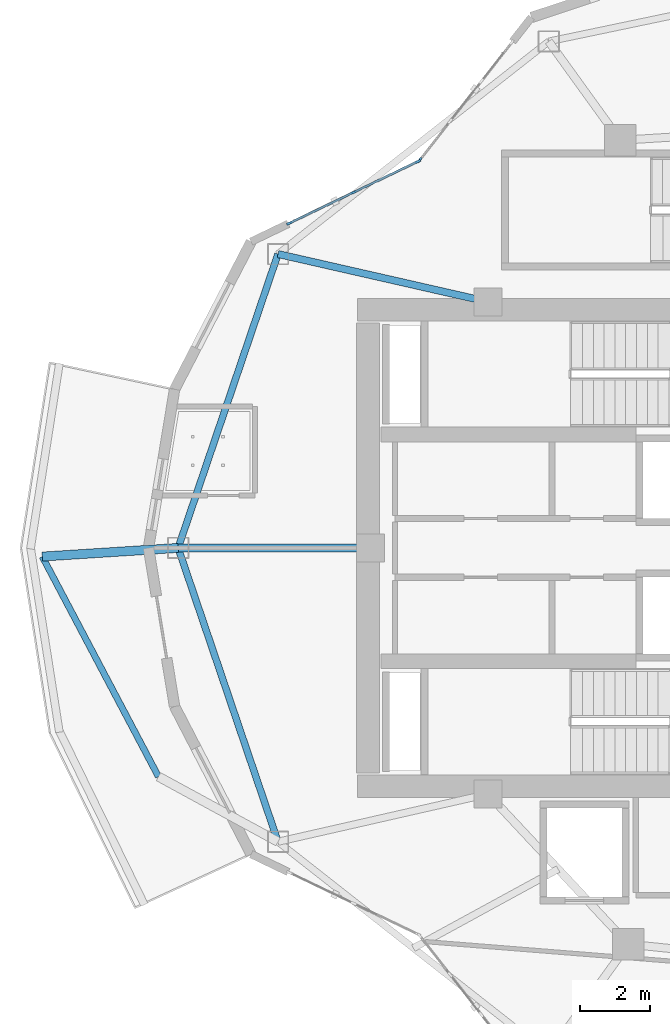
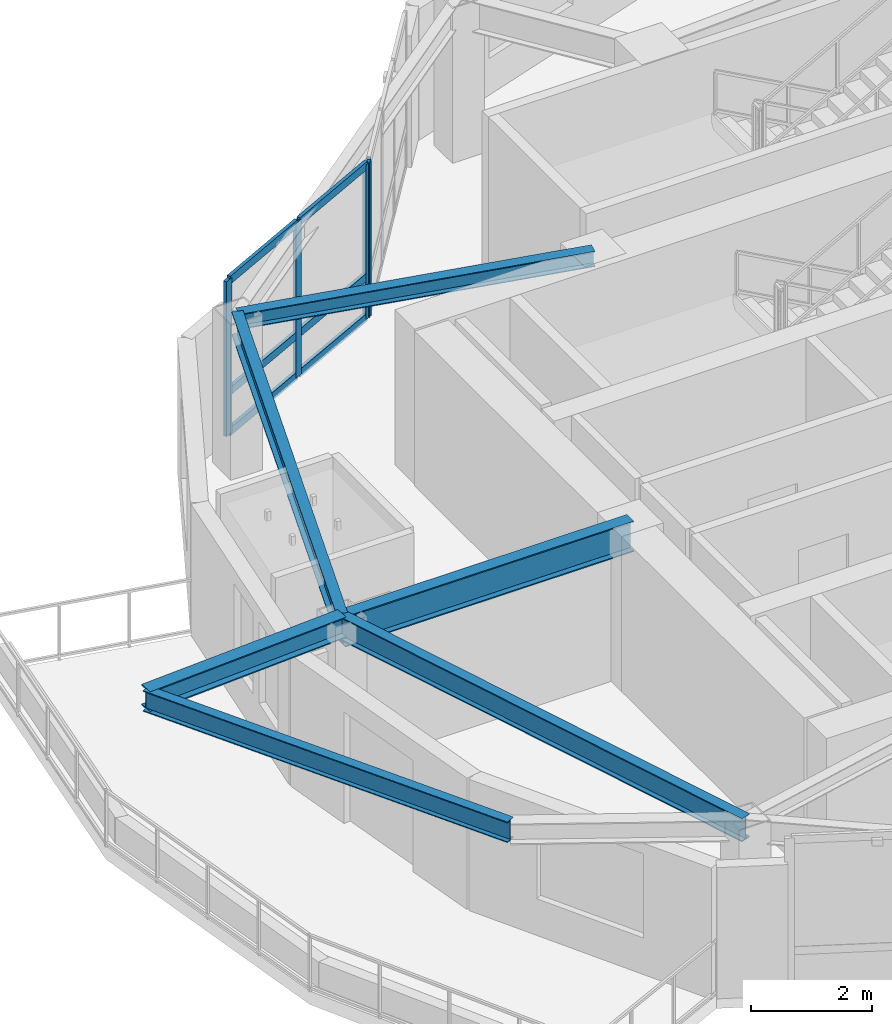
# One storey, part 3 of 19: 10 members, 6 beams, 2 elements without a shape of their own.
"""IFC4 building model written with IfcOpenShell, lengths in metres."""

import ifcopenshell
import ifcopenshell.guid

model = None  # the IFC model being written
_history = None  # IfcOwnerHistory: only IFC2X3 demands one
_inside = {}  # id of a spatial element -> (the spatial element, [elements in it])
_under = {}  # id of a project, library or spatial element -> (it, [spatial elements below it])
_declared = {}  # id of a project -> (the project, [libraries it declares])
_typed = {}  # id of a type object -> (the type object, [elements of that type])
_made_of = {}  # id of a material, layer set ... -> (it, [elements and type objects made of it])


def new_model(schema):
    """Start an empty IFC model of exactly this schema.

    Asked for "IFC4X3", IfcOpenShell would pick the latest addendum, in which some entities
    have other attributes; the version numbers below select the first issue.
    IFC2X3 requires an IfcOwnerHistory on every rooted entity: one is made here for all.
    """
    global model, _history
    if schema == "IFC4X3":
        model = ifcopenshell.file(schema_version=(4, 3, 0, 0))
    else:
        model = ifcopenshell.file(schema=schema)
    _inside.clear()
    _under.clear()
    _declared.clear()
    _typed.clear()
    _made_of.clear()
    _history = None
    if model.schema == "IFC2X3":
        org = make("IfcOrganization", Name="unknown")
        user = make(
            "IfcPersonAndOrganization",
            ThePerson=make("IfcPerson", FamilyName="unknown"),
            TheOrganization=org,
        )
        app = make(
            "IfcApplication",
            ApplicationDeveloper=org,
            Version="unknown",
            ApplicationFullName="unknown",
            ApplicationIdentifier="unknown",
        )
        _history = make(
            "IfcOwnerHistory",
            OwningUser=user,
            OwningApplication=app,
            ChangeAction="ADDED",
            CreationDate=0,
        )
    return model


def make(cls, **values):
    """One entity of the class cls with the attributes given. An attribute that is None is left unset."""
    return model.create_entity(
        cls, **{name: value for name, value in values.items() if value is not None}
    )


def rooted(cls, **values):
    """An entity with a GlobalId (a new one), such as an element, a storey or a relation."""
    return make(cls, GlobalId=ifcopenshell.guid.new(), OwnerHistory=_history, **values)


def si_unit(unit_type, name, prefix=None):
    """IfcSIUnit, for example si_unit("LENGTHUNIT", "METRE", prefix="MILLI")."""
    return make("IfcSIUnit", UnitType=unit_type, Prefix=prefix, Name=name)


def assignment(units):
    """IfcUnitAssignment: the units of a project."""
    return None if units is None else make("IfcUnitAssignment", Units=units)


def point(xyz):
    """IfcCartesianPoint."""
    return None if xyz is None else make("IfcCartesianPoint", Coordinates=xyz)


def direction(xyz):
    """IfcDirection."""
    return None if xyz is None else make("IfcDirection", DirectionRatios=xyz)


def frame(location, z_axis=None, x_axis=None):
    """IfcAxis2Placement3D, a coordinate frame: its origin and axes. An axis left out is left unset."""
    return make(
        "IfcAxis2Placement3D",
        Location=point(location),
        Axis=direction(z_axis),
        RefDirection=direction(x_axis),
    )


def frame_2d(location, x_axis=None):
    """IfcAxis2Placement2D, a coordinate frame in the plane: its origin and x axis."""
    return make(
        "IfcAxis2Placement2D", Location=point(location), RefDirection=direction(x_axis)
    )


def origin():
    """The frame at (0, 0, 0) with its axes left unset."""
    return frame((0.0, 0.0, 0.0))


def origin_2d():
    """The frame at (0, 0) in the plane with its x axis left unset."""
    return frame_2d((0.0, 0.0))


def place(relative_to, where):
    """IfcLocalPlacement: puts the frame where relative to a parent placement (None: the world)."""
    return make(
        "IfcLocalPlacement", PlacementRelTo=relative_to, RelativePlacement=where
    )


def context(
    kind, dimensions, precision=None, world=None, true_north=None, identifier=None
):
    """IfcGeometricRepresentationContext, for example the 3D "Model" context."""
    return make(
        "IfcGeometricRepresentationContext",
        ContextIdentifier=identifier,
        ContextType=kind,
        CoordinateSpaceDimension=dimensions,
        Precision=precision,
        WorldCoordinateSystem=world,
        TrueNorth=true_north,
    )


def subcontext(parent, identifier, kind, view, scale=None):
    """IfcGeometricRepresentationSubContext, for example "Body" below "Model"."""
    return make(
        "IfcGeometricRepresentationSubContext",
        ContextIdentifier=identifier,
        ContextType=kind,
        ParentContext=parent,
        TargetScale=scale,
        TargetView=view,
    )


def project(units=None, contexts=None):
    """IfcProject with its units and contexts."""
    return rooted(
        "IfcProject",
        Name="project",
        RepresentationContexts=contexts,
        UnitsInContext=assignment(units),
    )


def spatial(cls, under=None, at=None, **own):
    """A site, building, storey or space (cls), placed at a placement, below another one or the project."""
    s = rooted(cls, ObjectPlacement=at, **own)
    if under is not None:
        _under.setdefault(under.id(), (under, []))[1].append(s)
    return s


def profile(cls, at=None, kind="AREA", **sizes):
    """A parametric profile (cls). Its sizes go by their IFC names, for example OverallWidth=200.0."""
    return make(cls, ProfileType=kind, Position=at, **sizes)


def rectangle(**sizes):
    """IfcRectangleProfileDef."""
    return profile("IfcRectangleProfileDef", **sizes)


def i_section(**sizes):
    """IfcIShapeProfileDef."""
    return profile("IfcIShapeProfileDef", **sizes)


def extrude(swept, where, along, depth):
    """IfcExtrudedAreaSolid: the profile swept, set in the frame where, extruded along a direction by depth."""
    return make(
        "IfcExtrudedAreaSolid",
        SweptArea=swept,
        Position=where,
        ExtrudedDirection=direction(along),
        Depth=depth,
    )


def shape(context_of_items, identifier, shape_type, items):
    """IfcShapeRepresentation: the items that make up one representation, for example the "Body"."""
    return make(
        "IfcShapeRepresentation",
        ContextOfItems=context_of_items,
        RepresentationIdentifier=identifier,
        RepresentationType=shape_type,
        Items=items,
    )


def material(Name=None, Category=None):
    """IfcMaterial."""
    return make("IfcMaterial", Name=Name, Category=Category)


def layer(
    of_material, thickness, ventilated=None, Name=None, Category=None, Priority=None
):
    """IfcMaterialLayer: one layer of a wall or slab, of a material (None: an air gap)."""
    return make(
        "IfcMaterialLayer",
        Material=of_material,
        LayerThickness=thickness,
        IsVentilated=ventilated,
        Name=Name,
        Category=Category,
        Priority=Priority,
    )


def layer_set(layers, Name=None):
    """IfcMaterialLayerSet."""
    return make("IfcMaterialLayerSet", MaterialLayers=layers, LayerSetName=Name)


def material_profile(
    of_material, cross_section, Name=None, Category=None, Priority=None
):
    """IfcMaterialProfile: a cross section and its material."""
    return make(
        "IfcMaterialProfile",
        Name=Name,
        Material=of_material,
        Profile=cross_section,
        Priority=Priority,
        Category=Category,
    )


def profile_set(profiles, Name=None, composite=None):
    """IfcMaterialProfileSet."""
    return make(
        "IfcMaterialProfileSet",
        Name=Name,
        MaterialProfiles=profiles,
        CompositeProfile=composite,
    )


def made_of(thing, what):
    """Note that an element or type object is made of a material, layer set ...; save() writes the relation."""
    if what is not None:
        _made_of.setdefault(what.id(), (what, []))[1].append(thing)
    return thing


def type_object(cls, material=None, **own):
    """A type object (cls), such as IfcWallType, which elements share."""
    return made_of(rooted(cls, **own), material)


def element(
    cls,
    number,
    at=None,
    inside=None,
    cuts=None,
    type_object=None,
    material=None,
    context=None,
    identifier="Body",
    shape_type=None,
    held_by="IfcProductDefinitionShape",
    body=None,
    shapes=None,
    **own,
):
    """One element of the class cls, such as IfcWall. Its Tag is "e" and its number.

    at: its placement. inside: the storey or other place that contains it. cuts: it is an
    opening in that element (IfcRelVoidsElement). A single representation is given by context,
    identifier, shape_type and body (its items); several are given by shapes. held_by: the class
    of the entity that holds the representations. save() writes the other relations.
    """
    e = rooted(cls, Tag="e%d" % number, ObjectPlacement=at, **own)
    if body is not None:
        shapes = [shape(context, identifier, shape_type, body)]
    if shapes is not None:
        e.Representation = make(held_by, Representations=shapes)
    if inside is not None:
        _inside.setdefault(inside.id(), (inside, []))[1].append(e)
    if cuts is not None:
        rooted(
            "IfcRelVoidsElement", RelatingBuildingElement=cuts, RelatedOpeningElement=e
        )
    if type_object is not None:
        _typed.setdefault(type_object.id(), (type_object, []))[1].append(e)
    return made_of(e, material)


def aggregate(whole, parts):
    """IfcRelAggregates: a whole, such as a stair, and the parts it consists of."""
    return rooted("IfcRelAggregates", RelatingObject=whole, RelatedObjects=parts)


def save(model, path):
    """Write the relations noted so far, then the file.

    IfcRelAggregates (storeys below a building ...), IfcRelContainedInSpatialStructure (elements
    in a storey), IfcRelDefinesByType, IfcRelAssociatesMaterial and IfcRelDeclares: one each for
    every whole, place, type object, material and project.
    """
    for whole, parts in _under.values():
        aggregate(whole, parts)
    for where, things in _inside.values():
        rooted(
            "IfcRelContainedInSpatialStructure",
            RelatedElements=things,
            RelatingStructure=where,
        )
    for kind, things in _typed.values():
        rooted("IfcRelDefinesByType", RelatedObjects=things, RelatingType=kind)
    for what, things in _made_of.values():
        rooted("IfcRelAssociatesMaterial", RelatedObjects=things, RelatingMaterial=what)
    for by, libraries in _declared.values():
        rooted("IfcRelDeclares", RelatingContext=by, RelatedDefinitions=libraries)
    model.write(path)


model = new_model("IFC4")

# Units and contexts
model_context = context("Model", 3, precision=1e-05, world=origin(), true_north=direction((0.0, 1.0)))
body_context = subcontext(model_context, "Body", "Model", "MODEL_VIEW")
ifc_project = project(units=[si_unit("LENGTHUNIT", "METRE"), si_unit("AREAUNIT", "SQUARE_METRE"), si_unit("VOLUMEUNIT", "CUBIC_METRE"), si_unit("PLANEANGLEUNIT", "RADIAN"), si_unit("MASSUNIT", "GRAM", prefix="KILO")], contexts=[model_context])

# Site, building, storey
site_placement = place(None, origin())
site = spatial("IfcSite", under=ifc_project, at=site_placement, CompositionType="ELEMENT")
building_placement = place(site_placement, origin())
building = spatial("IfcBuilding", under=site, at=building_placement, Name="Kolvaren Gate Tower and Convention Centre", CompositionType="ELEMENT")
storey_placement = place(building_placement, frame((0.0, 0.0, 163.10009765625)))
storey = spatial("IfcBuildingStorey", under=building, at=storey_placement, Name="L42", CompositionType="ELEMENT", Elevation=163.10009765625)

# Curtain wall, member
ifc_material_1 = material(Name="Anodized Architectural Aluminium Alloy 6063-T6", Category="aluminium")
ifc_layer = layer(ifc_material_1, 0.159912109375)
ifc_layer_set = layer_set([ifc_layer], Name="Anodized Architectural Aluminium Alloy 6063-T6")
curtain_wall_type = type_object("IfcCurtainWallType", Name="CW-HTL-UNIT", PredefinedType="NOTDEFINED", material=ifc_layer_set)
curtain_wall_1_placement = place(storey_placement, origin())
curtain_wall_1 = element("IfcCurtainWall", 1, at=curtain_wall_1_placement, inside=storey, type_object=curtain_wall_type, Name="Tower L42 Unitised Curtain Wall CW-HTL-UNIT Bay 08", PredefinedType="NOTDEFINED")
ifc_material_profile_1 = material_profile(ifc_material_1, rectangle(XDim=0.06494140625, YDim=0.159912109375, at=origin_2d()), Name="CW-MEM-MUL-160")
ifc_profile_set_1 = profile_set([ifc_material_profile_1], Name="Anodized Architectural Aluminium Alloy 6063-T6")
member_type_1 = type_object("IfcMemberType", Name="CW-MEM-MUL-160", PredefinedType="MULLION", material=ifc_profile_set_1)
member_1_placement = place(storey_placement, frame((15.95654296875, 38.111572265625, 0.0), z_axis=(0.0, 0.0, 1.0), x_axis=(-0.787394793807, 0.616449056034, 0.0)))
member_1 = element("IfcMember", 2, at=member_1_placement, type_object=member_type_1, Name="CW-03 mullion 1", PredefinedType="MULLION", context=body_context, shape_type="SweptSolid", body=[
    extrude(rectangle(XDim=0.06494140625, YDim=0.159912109375, at=origin_2d()), origin(), (0.0, 0.0, 1.0), 3.1298828125),
])
aggregate(curtain_wall_1, [member_1])

# Curtain wall, members
curtain_wall_2_placement = place(storey_placement, origin())
curtain_wall_2 = element("IfcCurtainWall", 3, at=curtain_wall_2_placement, inside=storey, type_object=curtain_wall_type, Name="Tower L42 Unitised Curtain Wall CW-HTL-UNIT Bay 09", PredefinedType="NOTDEFINED")
member_2_placement = place(storey_placement, frame((12.220458984375, 36.300537109375, 0.0), z_axis=(0.0, 0.0, 1.0), x_axis=(-0.433065112035, 0.901362639973, 0.0)))
member_2 = element("IfcMember", 4, at=member_2_placement, type_object=member_type_1, Name="CW-03 mullion 1", PredefinedType="MULLION", context=body_context, shape_type="SweptSolid", body=[
    extrude(rectangle(XDim=0.06494140625, YDim=0.159912109375, at=origin_2d()), origin(), (0.0, 0.0, 1.0), 3.1298828125),
])
member_3_placement = place(storey_placement, frame((14.063720703125, 37.186279296875, 0.0), z_axis=(0.0, 0.0, 1.0), x_axis=(-0.433065112035, 0.901362639973, 0.0)))
member_3 = element("IfcMember", 5, at=member_3_placement, type_object=member_type_1, Name="CW-03 mullion 2", PredefinedType="MULLION", context=body_context, shape_type="SweptSolid", body=[
    extrude(rectangle(XDim=0.06494140625, YDim=0.159912109375, at=origin_2d()), origin(), (0.0, 0.0, 1.0), 3.1298828125),
])
member_4_placement = place(storey_placement, frame((15.9072265625, 38.072021484375, 0.0), z_axis=(0.0, 0.0, 1.0), x_axis=(-0.433065112035, 0.901362639973, 0.0)))
member_4 = element("IfcMember", 6, at=member_4_placement, type_object=member_type_1, Name="CW-03 mullion 3", PredefinedType="MULLION", context=body_context, shape_type="SweptSolid", body=[
    extrude(rectangle(XDim=0.06494140625, YDim=0.159912109375, at=origin_2d()), origin(), (0.0, 0.0, 1.0), 3.1298828125),
])
ifc_material_profile_2 = material_profile(ifc_material_1, rectangle(XDim=0.06494140625, YDim=0.159912109375, at=origin_2d()), Name="CW-MEM-TRN-160")
ifc_profile_set_2 = profile_set([ifc_material_profile_2], Name="Anodized Architectural Aluminium Alloy 6063-T6")
member_type_2 = type_object("IfcMemberType", Name="CW-MEM-TRN-160", PredefinedType="USERDEFINED", material=ifc_profile_set_2)
member_5_placement = place(storey_placement, frame((12.249755859375, 36.314697265625, 0.032470703125), z_axis=(0.901369067985, 0.433051732799, 0.0), x_axis=(-0.433051732799, 0.901369067985, 0.0)))
member_5 = element("IfcMember", 7, at=member_5_placement, type_object=member_type_2, Name="CW-03 transom 1.1", ObjectType="TRANSOM", PredefinedType="USERDEFINED", context=body_context, shape_type="SweptSolid", body=[
    extrude(rectangle(XDim=0.06494140625, YDim=0.159912109375, at=origin_2d()), origin(), (0.0, 0.0, 1.0), 1.97998046875),
])
member_6_placement = place(storey_placement, frame((12.249755859375, 36.314697265625, 0.849853515625), z_axis=(0.901369067985, 0.433051732799, 0.0), x_axis=(-0.433051732799, 0.901369067985, 0.0)))
member_6 = element("IfcMember", 8, at=member_6_placement, type_object=member_type_2, Name="CW-03 transom 1.2", ObjectType="TRANSOM", PredefinedType="USERDEFINED", context=body_context, shape_type="SweptSolid", body=[
    extrude(rectangle(XDim=0.06494140625, YDim=0.159912109375, at=origin_2d()), origin(), (0.0, 0.0, 1.0), 1.97998046875),
])
member_7_placement = place(storey_placement, frame((12.249755859375, 36.314697265625, 3.097412109375), z_axis=(0.901369067985, 0.433051732799, 0.0), x_axis=(-0.433051732799, 0.901369067985, 0.0)))
member_7 = element("IfcMember", 9, at=member_7_placement, type_object=member_type_2, Name="CW-03 transom 1.3", ObjectType="TRANSOM", PredefinedType="USERDEFINED", context=body_context, shape_type="SweptSolid", body=[
    extrude(rectangle(XDim=0.06494140625, YDim=0.159912109375, at=origin_2d()), origin(), (0.0, 0.0, 1.0), 1.97998046875),
])
member_8_placement = place(storey_placement, frame((14.093017578125, 37.200439453125, 0.032470703125), z_axis=(0.90139218823, 0.433003606218, 0.0), x_axis=(-0.433003606218, 0.90139218823, 0.0)))
member_8 = element("IfcMember", 10, at=member_8_placement, type_object=member_type_2, Name="CW-03 transom 2.1", ObjectType="TRANSOM", PredefinedType="USERDEFINED", context=body_context, shape_type="SweptSolid", body=[
    extrude(rectangle(XDim=0.06494140625, YDim=0.159912109375, at=origin_2d()), origin(), (0.0, 0.0, 1.0), 1.980224609375),
])
member_9_placement = place(storey_placement, frame((14.093017578125, 37.200439453125, 0.849853515625), z_axis=(0.90139218823, 0.433003606218, 0.0), x_axis=(-0.433003606218, 0.90139218823, 0.0)))
member_9 = element("IfcMember", 11, at=member_9_placement, type_object=member_type_2, Name="CW-03 transom 2.2", ObjectType="TRANSOM", PredefinedType="USERDEFINED", context=body_context, shape_type="SweptSolid", body=[
    extrude(rectangle(XDim=0.06494140625, YDim=0.159912109375, at=origin_2d()), origin(), (0.0, 0.0, 1.0), 1.980224609375),
])
member_10_placement = place(storey_placement, frame((14.093017578125, 37.200439453125, 3.097412109375), z_axis=(0.90139218823, 0.433003606218, 0.0), x_axis=(-0.433003606218, 0.90139218823, 0.0)))
member_10 = element("IfcMember", 12, at=member_10_placement, type_object=member_type_2, Name="CW-03 transom 2.3", ObjectType="TRANSOM", PredefinedType="USERDEFINED", context=body_context, shape_type="SweptSolid", body=[
    extrude(rectangle(XDim=0.06494140625, YDim=0.159912109375, at=origin_2d()), origin(), (0.0, 0.0, 1.0), 1.980224609375),
])
aggregate(curtain_wall_2, [member_2, member_3, member_4, member_5, member_6, member_7, member_8, member_9, member_10])

# Beams
ifc_material_2 = material(Name="Structural steel ASTM A992 Grade 345 MPa", Category="steel")
ifc_material_profile_3 = material_profile(ifc_material_2, i_section(OverallWidth=0.260009765625, OverallDepth=0.419921875, WebThickness=0.013427734375, FlangeThickness=0.0224609375, at=origin_2d()), Name="W410X132")
ifc_profile_set_3 = profile_set([ifc_material_profile_3], Name="Structural steel ASTM A992 Grade 345 MPa")
beam_type_1 = type_object("IfcBeamType", Name="STR-BM-W410X132", PredefinedType="BEAM", material=ifc_profile_set_3)
beam_1_placement = place(storey_placement, frame((9.03759765625, 27.0, 2.92041015625), z_axis=(-0.997967389097, -0.063726684362, 0.0), x_axis=(0.063726684362, -0.997967389097, 0.0)))
element("IfcBeam", 13, at=beam_1_placement, inside=storey, type_object=beam_type_1, Name="Tower L43 Planted Balcony Outrigger Cantilever BC-2A", PredefinedType="BEAM", context=body_context, shape_type="SweptSolid", body=[
    extrude(i_section(OverallWidth=0.260009765625, OverallDepth=0.419921875, WebThickness=0.013427734375, FlangeThickness=0.0224609375, at=origin_2d()), origin(), (0.0, 0.0, 1.0), 3.89990234375),
])
ifc_material_profile_4 = material_profile(ifc_material_2, i_section(OverallWidth=0.22998046875, OverallDepth=0.616943359375, WebThickness=0.01318359375, FlangeThickness=0.022216796875, at=origin_2d()), Name="W610X140")
ifc_profile_set_4 = profile_set([ifc_material_profile_4], Name="Structural steel ASTM A992 Grade 345 MPa")
beam_type_2 = type_object("IfcBeamType", Name="STR-BM-W610X140", PredefinedType="BEAM", material=ifc_profile_set_4)
beam_2_placement = place(storey_placement, frame((14.550048828125, 27.0, 2.8212890625), z_axis=(-1.0, 0.0, 0.0), x_axis=(0.0, -1.0, 0.0)))
element("IfcBeam", 14, at=beam_2_placement, inside=storey, type_object=beam_type_2, Name="Tower L42 Radial Floor Girder RB-07", PredefinedType="BEAM", context=body_context, shape_type="SweptSolid", body=[
    extrude(i_section(OverallWidth=0.22998046875, OverallDepth=0.616943359375, WebThickness=0.01318359375, FlangeThickness=0.022216796875, at=origin_2d()), origin(), (0.0, 0.0, 1.0), 5.512451171875),
])
ifc_material_profile_5 = material_profile(ifc_material_2, i_section(OverallWidth=0.205078125, OverallDepth=0.31005859375, WebThickness=0.009521484375, FlangeThickness=0.016357421875, at=origin_2d()), Name="W310X74")
ifc_profile_set_5 = profile_set([ifc_material_profile_5], Name="Structural steel ASTM A992 Grade 345 MPa")
beam_type_3 = type_object("IfcBeamType", Name="STR-JS-W310X74", PredefinedType="JOIST", material=ifc_profile_set_5)
beam_3_placement = place(storey_placement, frame((17.9140625, 34.050048828125, 2.974853515625), z_axis=(-0.975083464295, 0.221838314226, 0.0), x_axis=(-0.221838314226, -0.975083464295, 0.0)))
element("IfcBeam", 15, at=beam_3_placement, inside=storey, type_object=beam_type_3, Name="Tower L42 Radial Floor Girder RB-06", PredefinedType="JOIST", context=body_context, shape_type="SweptSolid", body=[
    extrude(i_section(OverallWidth=0.205078125, OverallDepth=0.31005859375, WebThickness=0.009521484375, FlangeThickness=0.016357421875, at=origin_2d()), origin(), (0.0, 0.0, 1.0), 6.169677734375),
])
ifc_material_profile_6 = material_profile(ifc_material_2, i_section(OverallWidth=0.180908203125, OverallDepth=0.4169921875, WebThickness=0.010986328125, FlangeThickness=0.018310546875, at=origin_2d()), Name="W410X85")
ifc_profile_set_6 = profile_set([ifc_material_profile_6], Name="Structural steel ASTM A992 Grade 345 MPa")
beam_type_4 = type_object("IfcBeamType", Name="STR-SP-W410X85", PredefinedType="SPANDREL", material=ifc_profile_set_6)
beam_4_placement = place(storey_placement, frame((5.1455078125, 26.75146484375, 2.921875), z_axis=(0.466803260322, -0.884361191003, 0.0), x_axis=(0.884361191003, 0.466803260322, 0.0)))
element("IfcBeam", 16, at=beam_4_placement, inside=storey, type_object=beam_type_4, Name="Tower L43 Planted Balcony Header Tie Beam BT-2", PredefinedType="SPANDREL", context=body_context, shape_type="SweptSolid", body=[
    extrude(i_section(OverallWidth=0.180908203125, OverallDepth=0.4169921875, WebThickness=0.010986328125, FlangeThickness=0.018310546875, at=origin_2d()), origin(), (0.0, 0.0, 1.0), 7.129150390625),
])
ifc_material_profile_7 = material_profile(ifc_material_2, i_section(OverallWidth=0.194091796875, OverallDepth=0.468994140625, WebThickness=0.0126953125, FlangeThickness=0.0205078125, at=origin_2d()), Name="W460X106")
ifc_profile_set_7 = profile_set([ifc_material_profile_7], Name="Structural steel ASTM A992 Grade 345 MPa")
beam_type_5 = type_object("IfcBeamType", Name="STR-SP-W460X106", PredefinedType="SPANDREL", material=ifc_profile_set_7)
for number, where, z_axis, x_axis, name in (
    (17, (11.898193359375, 35.418701171875, 2.8955078125), (-0.321725023609, -0.946833147489, 0.0), (0.946833147489, -0.321725023609, 0.0), "Tower L42 Perimeter Spandrel Beam SP-06"),
    (18, (9.03759765625, 27.0, 2.8955078125), (0.321725023609, -0.946833147489, 0.0), (0.946833147489, 0.321725023609, 0.0), "Tower L42 Perimeter Spandrel Beam SP-07"),
):
    element("IfcBeam", number, at=place(storey_placement, frame(where, z_axis=z_axis, x_axis=x_axis)), inside=storey, type_object=beam_type_5, Name=name, PredefinedType="SPANDREL", context=body_context, shape_type="SweptSolid", body=[
        extrude(i_section(OverallWidth=0.194091796875, OverallDepth=0.468994140625, WebThickness=0.0126953125, FlangeThickness=0.0205078125, at=origin_2d()), origin(), (0.0, 0.0, 1.0), 8.891357421875),
    ])

save(model, "model.ifc")
